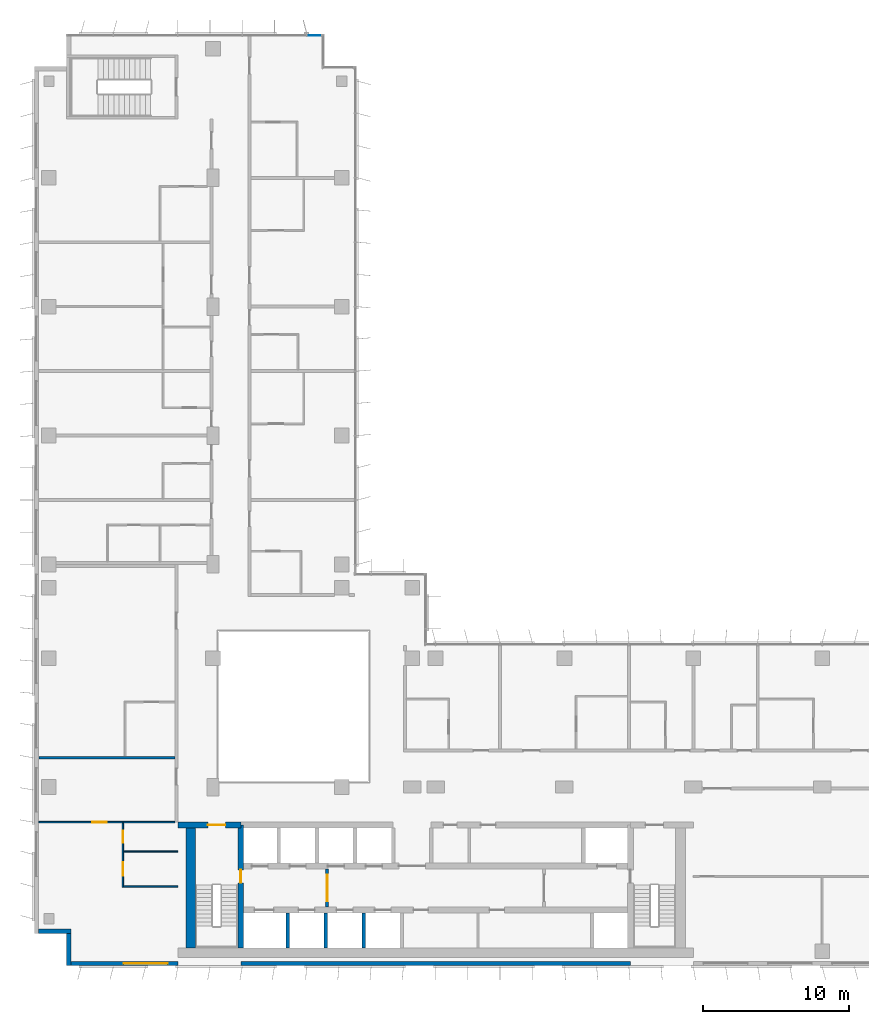
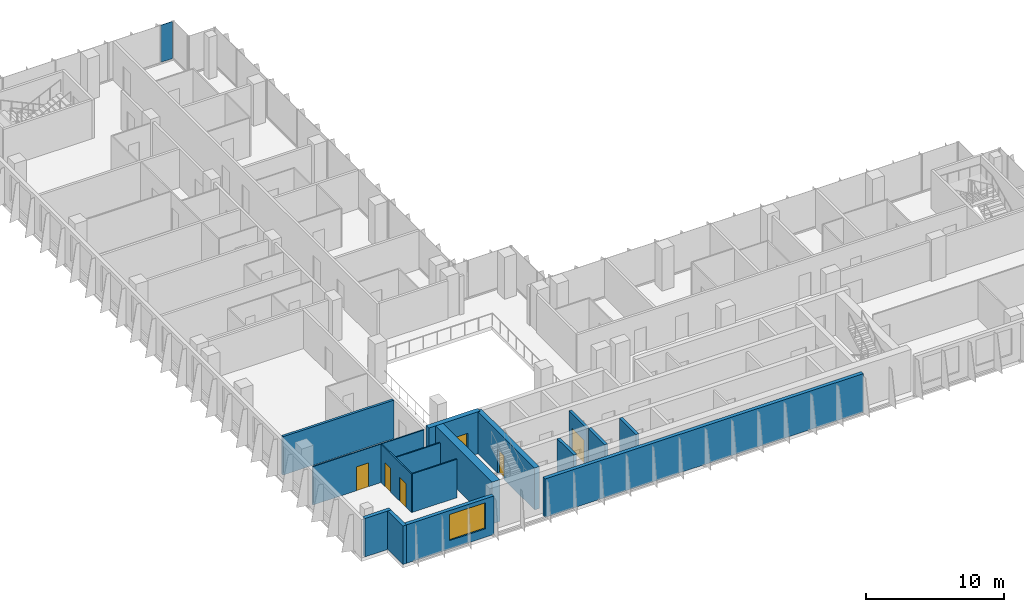
# One storey, part 12 of 21: 16 walls, 6 doors, 1 plate, 1 window, 7 openings, 1 element without a shape of its own.
"""IFC4 building model written with IfcOpenShell, lengths in metres."""

from ifc_helpers import new_model, si_unit, direction, frame, frame_2d, origin, origin_2d, place, context, subcontext, project, spatial, rectangle, extrude, source, transform, mapped, material, layer, layer_set, type_object, element, fill, aggregate, save


model = new_model("IFC4")

# Units and contexts
model_context = context("Model", 3, precision=1e-05, world=origin(), true_north=direction((0.0, 1.0)))
body_context = subcontext(model_context, "Body", "Model", "MODEL_VIEW")
ifc_project = project(units=[si_unit("LENGTHUNIT", "METRE"), si_unit("AREAUNIT", "SQUARE_METRE"), si_unit("VOLUMEUNIT", "CUBIC_METRE"), si_unit("PLANEANGLEUNIT", "RADIAN"), si_unit("MASSUNIT", "GRAM", prefix="KILO")], contexts=[model_context])

# Site, building, storey
site_placement = place(None, origin())
site = spatial("IfcSite", under=ifc_project, at=site_placement, CompositionType="ELEMENT")
building_placement = place(site_placement, origin())
building = spatial("IfcBuilding", under=site, at=building_placement, Name="Kemantara Hotel Tower", CompositionType="ELEMENT")
storey_placement = place(building_placement, frame((0.0, 0.0, 175.300048828125)))
storey = spatial("IfcBuildingStorey", under=building, at=storey_placement, Name="L43", CompositionType="ELEMENT", Elevation=175.300048828125)

# Curtain wall, plate
ifc_material_1 = material(Name="Low-E tinted double insulated glass 36 mm", Category="glass")
curtain_wall_type = type_object("IfcCurtainWallType", Name="TOWER CURTAIN WALL, FRONT FACES", PredefinedType="USERDEFINED", material=ifc_material_1)
curtain_wall_placement = place(storey_placement, origin())
curtain_wall = element("IfcCurtainWall", 1, at=curtain_wall_placement, inside=storey, type_object=curtain_wall_type, Name="CW4 L43 T3-R02-1", ObjectType="TOWER CURTAIN WALL, FRONT FACES", PredefinedType="USERDEFINED")
ifc_layer_1 = layer(ifc_material_1, 0.035888671875)
ifc_layer_set_1 = layer_set([ifc_layer_1], Name="Low-E tinted double insulated glass 36 mm")
plate_type = type_object("IfcPlateType", Name="TOWER CURTAIN WALL, FRONT FACES PANEL", PredefinedType="CURTAIN_PANEL", material=ifc_layer_set_1)
shared_shape = source(origin(), body_context, "Body", "SweptSolid", [
    extrude(rectangle(XDim=0.9599609375, YDim=0.035888671875, at=origin_2d()), origin(), (0.0, 0.0, 1.0), 3.280029296875),
])
plate_placement = place(storey_placement, frame((19.110107421875, 63.52490234375, 0.1201171875), z_axis=(0.0, 0.0, 1.0), x_axis=(-1.0, 0.0, 0.0)))
plate = element("IfcPlate", 2, at=plate_placement, type_object=plate_type, Name="CW4 glass panel T3-R02-1.1", PredefinedType="CURTAIN_PANEL", context=body_context, shape_type="MappedRepresentation", body=[
    mapped(shared_shape, transform((0.0, 0.0, 0.0))),
])
aggregate(curtain_wall, [plate])

# Walls
ifc_material_2 = material(Name="Bronze anodised aluminium cladding on insulated steel stud wall", Category="steel")
ifc_layer_2 = layer(ifc_material_2, 0.300048828125)
ifc_layer_set_2 = layer_set([ifc_layer_2], Name="Bronze anodised aluminium cladding on insulated steel stud wall")
wall_type_1 = type_object("IfcWallType", Name="BRONZE METAL-CLAD EXTERNAL WALL 300", PredefinedType="STANDARD", material=ifc_layer_set_2)
for number, where, z_axis, x_axis, name in (
    (3, (0.300048828125, 2.35009765625, 0.0), (0.0, 0.0, 1.0), (1.0, 0.0, 0.0), "EXTERNAL WALL L43 T3-R06"),
    (4, (2.35009765625, 2.199951171875, 0.0), (0.0, 0.0, 1.0), (0.0, -1.0, 0.0), "EXTERNAL WALL L43 T3-R07"),
):
    element("IfcWall", number, at=place(storey_placement, frame(where, z_axis=z_axis, x_axis=x_axis)), inside=storey, type_object=wall_type_1, Name=name, PredefinedType="STANDARD", context=body_context, shape_type="SweptSolid", body=[
        extrude(rectangle(XDim=2.199951171875, YDim=0.300048828125, at=frame_2d((1.10009765625, 0.0))), origin(), (0.0, 0.0, 1.0), 3.39990234375),
    ])

# Wall, opening, window
wall_1_placement = place(storey_placement, frame((2.5, 0.14990234375, 0.0), z_axis=(0.0, 0.0, 1.0), x_axis=(1.0, 0.0, 0.0)))
wall_1 = element("IfcWall", 5, at=wall_1_placement, inside=storey, type_object=wall_type_1, Name="EXTERNAL WALL L43 T3-R08", PredefinedType="STANDARD", context=body_context, shape_type="SweptSolid", body=[
    extrude(rectangle(XDim=7.300048828125, YDim=0.300048828125, at=frame_2d((3.64990234375, 0.0))), origin(), (0.0, 0.0, 1.0), 3.39990234375),
])
opening_1_placement = place(wall_1_placement, frame((3.60009765625, 0.0, 0.75)))
opening_1 = element("IfcOpeningElement", 6, at=opening_1_placement, cuts=wall_1, Name="Opening W1", PredefinedType="OPENING", context=body_context, shape_type="SweptSolid", body=[
    extrude(rectangle(XDim=3.0, YDim=2.300048828125, at=frame_2d((1.5, 1.14990234375))), frame((0.0, 0.159912109375, 0.0), z_axis=(0.0, -1.0, 0.0), x_axis=(1.0, 0.0, 0.0)), (0.0, 0.0, 1.0), 0.320068359375),
])
ifc_material_3 = material(Name="Low-E tinted double insulated glass in bronze anodised aluminium frame", Category="aluminium")
window_type = type_object("IfcWindowType", Name="CHICAGO WINDOW, TRIPLE PANEL 3000x2300", PartitioningType="TRIPLE_PANEL_VERTICAL", PredefinedType="WINDOW", material=ifc_material_3)
window_placement = place(opening_1_placement, origin())
window = element("IfcWindow", 7, at=window_placement, inside=storey, type_object=window_type, Name="CHICAGO WINDOW L43 T3-R08-54", OverallHeight=2.300048828125, OverallWidth=3.0, PartitioningType="SINGLE_PANEL", PredefinedType="WINDOW", context=body_context, shape_type="SweptSolid", body=[
    extrude(rectangle(XDim=3.0, YDim=2.300048828125, at=frame_2d((1.5, 1.14990234375))), frame((0.0, 0.030029296875, 0.0), z_axis=(0.0, -1.0, 0.0), x_axis=(1.0, 0.0, 0.0)), (0.0, 0.0, 1.0), 0.06005859375),
])
fill(opening_1, window)

# Walls
wall_2_placement = place(storey_placement, frame((14.10009765625, 0.14990234375, 0.0), z_axis=(0.0, 0.0, 1.0), x_axis=(1.0, 0.0, 0.0)))
element("IfcWall", 8, at=wall_2_placement, inside=storey, type_object=wall_type_1, Name="EXTERNAL WALL L43 T3-R08-2", PredefinedType="STANDARD", context=body_context, shape_type="SweptSolid", body=[
    extrude(rectangle(XDim=26.599853515625, YDim=0.300048828125, at=frame_2d((13.2998046875, 0.0))), origin(), (0.0, 0.0, 1.0), 3.39990234375),
])
ifc_material_4 = material(Name="Concrete fc 60 MPa", Category="concrete")
ifc_layer_3 = layer(ifc_material_4, 0.25)
ifc_layer_set_3 = layer_set([ifc_layer_3], Name="Concrete fc 60 MPa")
wall_type_2 = type_object("IfcWallType", Name="CORE WALL 250 FC60", PredefinedType="SHEAR", material=ifc_layer_set_3)
for number, where, z_axis, x_axis, name in (
    (9, (17.300048828125, 1.199951171875, 0.0), (0.0, 0.0, 1.0), (0.0, 1.0, 0.0), "CORE WALL CW-DS17.3"),
    (10, (19.89990234375, 1.199951171875, 0.0), (0.0, 0.0, 1.0), (0.0, 1.0, 0.0), "CORE WALL CW-DS19.9"),
    (11, (22.5, 1.199951171875, 0.0), (0.0, 0.0, 1.0), (0.0, 1.0, 0.0), "CORE WALL CW-DS22.5"),
):
    element("IfcWall", number, at=place(storey_placement, frame(where, z_axis=z_axis, x_axis=x_axis)), inside=storey, type_object=wall_type_2, Name=name, PredefinedType="SHEAR", context=body_context, shape_type="SweptSolid", body=[
        extrude(rectangle(XDim=2.400146484375, YDim=0.25, at=frame_2d((1.2001953125, 0.0))), origin(), (0.0, 0.0, 1.0), 3.699951171875),
    ])

# Wall, opening, door
ifc_layer_4 = layer(ifc_material_4, 0.39990234375)
ifc_layer_set_4 = layer_set([ifc_layer_4], Name="Concrete fc 60 MPa")
wall_type_3 = type_object("IfcWallType", Name="CORE WALL 400 FC60", PredefinedType="SHEAR", material=ifc_layer_set_4)
wall_3_placement = place(storey_placement, frame((9.800048828125, 9.60009765625, 0.0), z_axis=(0.0, 0.0, 1.0), x_axis=(1.0, 0.0, 0.0)))
wall_3 = element("IfcWall", 12, at=wall_3_placement, inside=storey, type_object=wall_type_3, Name="CORE WALL CW-N1", PredefinedType="SHEAR", context=body_context, shape_type="SweptSolid", body=[
    extrude(rectangle(XDim=4.300048828125, YDim=0.39990234375, at=frame_2d((2.14990234375, 0.0))), origin(), (0.0, 0.0, 1.0), 3.699951171875),
])
opening_2_placement = place(wall_3_placement, frame((2.050048828125, 0.0, 0.0)))
opening_2 = element("IfcOpeningElement", 13, at=opening_2_placement, cuts=wall_3, Name="Opening C26-ST1-C", PredefinedType="OPENING", context=body_context, shape_type="SweptSolid", body=[
    extrude(rectangle(XDim=1.199951171875, YDim=2.10009765625, at=frame_2d((0.60009765625, 1.050048828125))), frame((0.0, 0.2099609375, 0.0), z_axis=(0.0, -1.0, 0.0), x_axis=(1.0, 0.0, 0.0)), (0.0, 0.0, 1.0), 0.419921875),
])
ifc_material_5 = material(Name="Steel fire door", Category="steel")
door_type_1 = type_object("IfcDoorType", Name="Fire door FD90 1200 x 2100", OperationType="NOTDEFINED", PredefinedType="DOOR", material=ifc_material_5)
door_1_placement = place(opening_2_placement, frame((1.199951171875, 0.0, 0.0), z_axis=(0.0, 0.0, 1.0), x_axis=(-1.0, 0.0, 0.0)))
door_1 = element("IfcDoor", 14, at=door_1_placement, inside=storey, type_object=door_type_1, Name="Stair ST1 door to corridor", OperationType="SINGLE_SWING_LEFT", OverallHeight=2.10009765625, OverallWidth=1.199951171875, PredefinedType="DOOR", context=body_context, shape_type="SweptSolid", body=[
    extrude(rectangle(XDim=1.199951171875, YDim=2.10009765625, at=frame_2d((0.60009765625, 1.050048828125))), frame((0.0, 0.02490234375, 0.0), z_axis=(0.0, -1.0, 0.0), x_axis=(1.0, 0.0, 0.0)), (0.0, 0.0, 1.0), 0.050048828125),
])
fill(opening_2, door_1)

wall_4_placement = place(storey_placement, frame((14.10009765625, 1.199951171875, 0.0), z_axis=(0.0, 0.0, 1.0), x_axis=(0.0, 1.0, 0.0)))
wall_4 = element("IfcWall", 15, at=wall_4_placement, inside=storey, type_object=wall_type_3, Name="CORE WALL CW-ST1E", PredefinedType="SHEAR", context=body_context, shape_type="SweptSolid", body=[
    extrude(rectangle(XDim=8.400146484375, YDim=0.39990234375, at=frame_2d((4.2001953125, 0.0))), origin(), (0.0, 0.0, 1.0), 3.699951171875),
])
opening_3_placement = place(wall_4_placement, frame((4.449951171875, 0.0, 0.0)))
opening_3 = element("IfcOpeningElement", 16, at=opening_3_placement, cuts=wall_4, Name="Opening C26-ST1-F", PredefinedType="OPENING", context=body_context, shape_type="SweptSolid", body=[
    extrude(rectangle(XDim=0.89990234375, YDim=2.10009765625, at=frame_2d((0.449951171875, 1.050048828125))), frame((0.0, 0.2099609375, 0.0), z_axis=(0.0, -1.0, 0.0), x_axis=(1.0, 0.0, 0.0)), (0.0, 0.0, 1.0), 0.419921875),
])
door_type_2 = type_object("IfcDoorType", Name="Fire door FD90 900 x 2100", OperationType="NOTDEFINED", PredefinedType="DOOR", material=ifc_material_5)
door_2_placement = place(opening_3_placement, origin())
door_2 = element("IfcDoor", 17, at=door_2_placement, inside=storey, type_object=door_type_2, Name="Stair ST1 door to firefighting lobby", OperationType="SINGLE_SWING_RIGHT", OverallHeight=2.10009765625, OverallWidth=0.89990234375, PredefinedType="DOOR", context=body_context, shape_type="SweptSolid", body=[
    extrude(rectangle(XDim=0.89990234375, YDim=2.10009765625, at=frame_2d((0.449951171875, 1.050048828125))), frame((0.0, 0.02490234375, 0.0), z_axis=(0.0, -1.0, 0.0), x_axis=(1.0, 0.0, 0.0)), (0.0, 0.0, 1.0), 0.050048828125),
])
fill(opening_3, door_2)

# Walls
ifc_layer_5 = layer(ifc_material_4, 0.64990234375)
ifc_layer_set_5 = layer_set([ifc_layer_5], Name="Concrete fc 60 MPa")
wall_type_4 = type_object("IfcWallType", Name="CORE WALL 650 FC60", PredefinedType="SHEAR", material=ifc_layer_set_5)
wall_5_placement = place(storey_placement, frame((10.675048828125, 1.199951171875, 0.0), z_axis=(0.0, 0.0, 1.0), x_axis=(0.0, 1.0, 0.0)))
element("IfcWall", 18, at=wall_5_placement, inside=storey, type_object=wall_type_4, Name="CORE WALL CW-W", PredefinedType="SHEAR", context=body_context, shape_type="SweptSolid", body=[
    extrude(rectangle(XDim=8.60009765625, YDim=0.64990234375, at=frame_2d((4.300048828125, 0.0))), origin(), (0.0, 0.0, 1.0), 3.699951171875),
])
ifc_material_6 = material(Name="Gypsum board partition, steel studs and mineral wool, 200 mm", Category="steel")
ifc_layer_6 = layer(ifc_material_6, 0.199951171875)
ifc_layer_set_6 = layer_set([ifc_layer_6], Name="Gypsum board partition, steel studs and mineral wool, 200 mm")
wall_type_5 = type_object("IfcWallType", Name="GUEST ROOM PARTY WALL 200", PredefinedType="PARTITIONING", material=ifc_layer_set_6)
wall_6_placement = place(storey_placement, frame((0.31005859375, 14.199951171875, 0.0), z_axis=(0.0, 0.0, 1.0), x_axis=(1.0, 0.0, 0.0)))
element("IfcWall", 19, at=wall_6_placement, inside=storey, type_object=wall_type_5, Name="GUEST ROOM PARTY WALL 200 012", PredefinedType="PARTITIONING", context=body_context, shape_type="SweptSolid", body=[
    extrude(rectangle(XDim=9.2900390625, YDim=0.199951171875, at=frame_2d((4.64501953125, 0.0))), origin(), (0.0, 0.0, 1.0), 3.39990234375),
])

# Wall, opening, door
ifc_material_7 = material(Name="Gypsum board shaft wall")
ifc_layer_7 = layer(ifc_material_7, 0.199951171875)
ifc_layer_set_7 = layer_set([ifc_layer_7], Name="Gypsum board shaft wall")
wall_type_6 = type_object("IfcWallType", Name="Gypsum board shaft wall 200 mm", PredefinedType="PARTITIONING", material=ifc_layer_set_7)
wall_7_placement = place(storey_placement, frame((20.0, 4.0, 0.0), z_axis=(0.0, 0.0, 1.0), x_axis=(0.0, 1.0, 0.0)))
wall_7 = element("IfcWall", 20, at=wall_7_placement, inside=storey, type_object=wall_type_6, Name="Firefighting lobby partition west", PredefinedType="PARTITIONING", context=body_context, shape_type="SweptSolid", body=[
    extrude(rectangle(XDim=2.60009765625, YDim=0.199951171875, at=frame_2d((1.300048828125, 0.0))), origin(), (0.0, 0.0, 1.0), 3.39990234375),
])
opening_4_placement = place(wall_7_placement, frame((0.39990234375, 0.0, 0.0)))
opening_4 = element("IfcOpeningElement", 21, at=opening_4_placement, cuts=wall_7, Name="Opening C26-FFW", PredefinedType="OPENING", context=body_context, shape_type="SweptSolid", body=[
    extrude(rectangle(XDim=1.800048828125, YDim=2.10009765625, at=frame_2d((0.89990234375, 1.050048828125))), frame((0.0, 0.10986328125, 0.0), z_axis=(0.0, -1.0, 0.0), x_axis=(1.0, 0.0, 0.0)), (0.0, 0.0, 1.0), 0.219970703125),
])
door_type_3 = type_object("IfcDoorType", Name="Fire door pair FD60 1800 x 2100", OperationType="DOUBLE_DOOR_SINGLE_SWING", PredefinedType="DOOR", material=ifc_material_5)
door_3_placement = place(opening_4_placement, origin())
door_3 = element("IfcDoor", 22, at=door_3_placement, inside=storey, type_object=door_type_3, Name="Firefighting lobby door west", OperationType="DOUBLE_DOOR_SINGLE_SWING", OverallHeight=2.10009765625, OverallWidth=1.800048828125, PredefinedType="DOOR", context=body_context, shape_type="SweptSolid", body=[
    extrude(rectangle(XDim=1.800048828125, YDim=2.10009765625, at=frame_2d((0.89990234375, 1.050048828125))), frame((0.0, 0.02490234375, 0.0), z_axis=(0.0, -1.0, 0.0), x_axis=(1.0, 0.0, 0.0)), (0.0, 0.0, 1.0), 0.050048828125),
])
fill(opening_4, door_3)

# Wall, openings, doors
ifc_material_8 = material(Name="Gypsum board partition on steel studs, 100 mm", Category="steel")
ifc_layer_8 = layer(ifc_material_8, 0.10009765625)
ifc_layer_set_8 = layer_set([ifc_layer_8], Name="Gypsum board partition on steel studs, 100 mm")
wall_type_7 = type_object("IfcWallType", Name="ROOM PARTITION 100", PredefinedType="PARTITIONING", material=ifc_layer_set_8)
wall_8_placement = place(storey_placement, frame((6.050048828125, 9.75, 0.0), z_axis=(0.0, 0.0, 1.0), x_axis=(0.0, -1.0, 0.0)))
wall_8 = element("IfcWall", 23, at=wall_8_placement, inside=storey, type_object=wall_type_7, Name="ROOM PARTITION 100 043", PredefinedType="PARTITIONING", context=body_context, shape_type="SweptSolid", body=[
    extrude(rectangle(XDim=4.39990234375, YDim=0.10009765625, at=frame_2d((2.199951171875, 0.0))), origin(), (0.0, 0.0, 1.0), 3.39990234375),
])
opening_5_placement = place(wall_8_placement, frame((2.699951171875, 0.0, 0.0)))
opening_5 = element("IfcOpeningElement", 24, at=opening_5_placement, cuts=wall_8, Name="Opening F20-016", PredefinedType="OPENING", context=body_context, shape_type="SweptSolid", body=[
    extrude(rectangle(XDim=0.89990234375, YDim=2.10009765625, at=frame_2d((0.449951171875, 1.050048828125))), frame((0.0, 0.06005859375, 0.0), z_axis=(0.0, -1.0, 0.0), x_axis=(1.0, 0.0, 0.0)), (0.0, 0.0, 1.0), 0.1201171875),
])
opening_6_placement = place(wall_8_placement, frame((0.550048828125, 0.0, 0.0)))
opening_6 = element("IfcOpeningElement", 25, at=opening_6_placement, cuts=wall_8, Name="Opening F20-017", PredefinedType="OPENING", context=body_context, shape_type="SweptSolid", body=[
    extrude(rectangle(XDim=0.800048828125, YDim=2.10009765625, at=frame_2d((0.39990234375, 1.050048828125))), frame((0.0, 0.06005859375, 0.0), z_axis=(0.0, -1.0, 0.0), x_axis=(1.0, 0.0, 0.0)), (0.0, 0.0, 1.0), 0.1201171875),
])
ifc_material_9 = material(Name="Hardwood veneer door leaf with steel frame", Category="steel")
door_type_4 = type_object("IfcDoorType", Name="BATHROOM DOOR 900 X 2100", OperationType="NOTDEFINED", PredefinedType="DOOR", material=ifc_material_9)
door_4_placement = place(opening_5_placement, origin())
door_4 = element("IfcDoor", 26, at=door_4_placement, inside=storey, type_object=door_type_4, Name="BATHROOM DOOR F20-016", OperationType="SINGLE_SWING_LEFT", OverallHeight=2.10009765625, OverallWidth=0.89990234375, PredefinedType="DOOR", context=body_context, shape_type="SweptSolid", body=[
    extrude(rectangle(XDim=0.89990234375, YDim=2.10009765625, at=frame_2d((0.449951171875, 1.050048828125))), frame((0.0, 0.02490234375, 0.0), z_axis=(0.0, -1.0, 0.0), x_axis=(1.0, 0.0, 0.0)), (0.0, 0.0, 1.0), 0.050048828125),
])
fill(opening_5, door_4)
door_type_5 = type_object("IfcDoorType", Name="WARDROBE DOOR 800 X 2100", OperationType="NOTDEFINED", PredefinedType="DOOR", material=ifc_material_9)
door_5_placement = place(opening_6_placement, origin())
door_5 = element("IfcDoor", 27, at=door_5_placement, inside=storey, type_object=door_type_5, Name="WARDROBE DOOR F20-017", OperationType="SINGLE_SWING_LEFT", OverallHeight=2.10009765625, OverallWidth=0.800048828125, PredefinedType="DOOR", context=body_context, shape_type="SweptSolid", body=[
    extrude(rectangle(XDim=0.800048828125, YDim=2.10009765625, at=frame_2d((0.39990234375, 1.050048828125))), frame((0.0, 0.02490234375, 0.0), z_axis=(0.0, -1.0, 0.0), x_axis=(1.0, 0.0, 0.0)), (0.0, 0.0, 1.0), 0.050048828125),
])
fill(opening_6, door_5)

# Wall, opening, door
wall_9_placement = place(storey_placement, frame((9.60009765625, 9.800048828125, 0.0), z_axis=(0.0, 0.0, 1.0), x_axis=(-1.0, 0.0, 0.0)))
wall_9 = element("IfcWall", 28, at=wall_9_placement, inside=storey, type_object=wall_type_7, Name="ROOM PARTITION 100 044", PredefinedType="PARTITIONING", context=body_context, shape_type="SweptSolid", body=[
    extrude(rectangle(XDim=9.2900390625, YDim=0.10009765625, at=frame_2d((4.64501953125, 0.0))), origin(), (0.0, 0.0, 1.0), 3.39990234375),
])
opening_7_placement = place(wall_9_placement, frame((4.64990234375, 0.0, 0.0)))
opening_7 = element("IfcOpeningElement", 29, at=opening_7_placement, cuts=wall_9, Name="Opening F20-015", PredefinedType="OPENING", context=body_context, shape_type="SweptSolid", body=[
    extrude(rectangle(XDim=1.0, YDim=2.10009765625, at=frame_2d((0.5, 1.050048828125))), frame((0.0, 0.06005859375, 0.0), z_axis=(0.0, -1.0, 0.0), x_axis=(1.0, 0.0, 0.0)), (0.0, 0.0, 1.0), 0.1201171875),
])
door_type_6 = type_object("IfcDoorType", Name="INTERNAL DOOR 1000 X 2100", OperationType="NOTDEFINED", PredefinedType="DOOR", material=ifc_material_9)
door_6_placement = place(opening_7_placement, origin())
door_6 = element("IfcDoor", 30, at=door_6_placement, inside=storey, type_object=door_type_6, Name="INTERNAL DOOR F20-015", OperationType="SINGLE_SWING_LEFT", OverallHeight=2.10009765625, OverallWidth=1.0, PredefinedType="DOOR", context=body_context, shape_type="SweptSolid", body=[
    extrude(rectangle(XDim=1.0, YDim=2.10009765625, at=frame_2d((0.5, 1.050048828125))), frame((0.0, 0.02490234375, 0.0), z_axis=(0.0, -1.0, 0.0), x_axis=(1.0, 0.0, 0.0)), (0.0, 0.0, 1.0), 0.050048828125),
])
fill(opening_7, door_6)

# Walls
for number, where, z_axis, x_axis, name in (
    (31, (6.10009765625, 5.39990234375, 0.0), (0.0, 0.0, 1.0), (1.0, 0.0, 0.0), "ROOM PARTITION 100 045"),
    (32, (6.10009765625, 7.800048828125, 0.0), (0.0, 0.0, 1.0), (1.0, 0.0, 0.0), "ROOM PARTITION 100 046"),
):
    element("IfcWall", number, at=place(storey_placement, frame(where, z_axis=z_axis, x_axis=x_axis)), inside=storey, type_object=wall_type_7, Name=name, PredefinedType="PARTITIONING", context=body_context, shape_type="SweptSolid", body=[
        extrude(rectangle(XDim=3.69970703125, YDim=0.10009765625, at=frame_2d((1.849853515625, 0.0))), origin(), (0.0, 0.0, 1.0), 3.39990234375),
    ])

save(model, "model.ifc")
